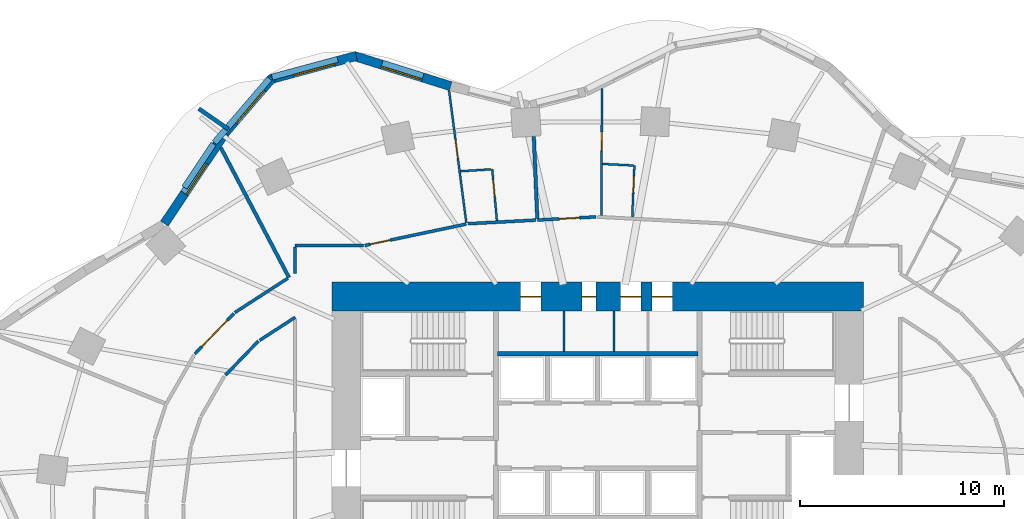
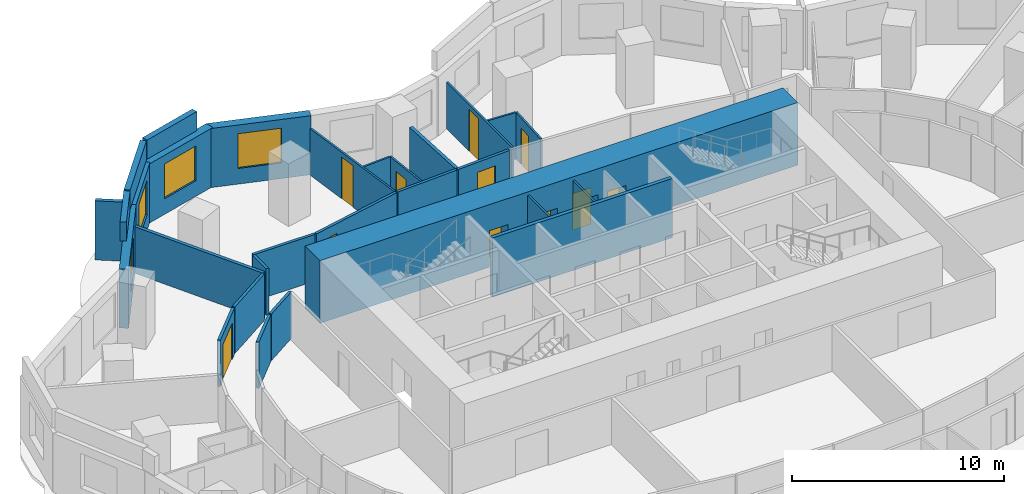
# One storey, part 8 of 11: 29 walls, 11 doors, 4 windows, 15 openings.
"""IFC4 building model written with IfcOpenShell, lengths in metres."""

from ifc_helpers import new_model, si_unit, direction, frame, frame_2d, origin, place, context, subcontext, project, spatial, rectangle, extrude, material, layer, layer_set, type_object, element, fill, save


model = new_model("IFC4")

# Units and contexts
model_context = context("Model", 3, precision=1e-05, world=origin(), true_north=direction((0.0, 1.0)))
body_context = subcontext(model_context, "Body", "Model", "MODEL_VIEW")
ifc_project = project(units=[si_unit("LENGTHUNIT", "METRE"), si_unit("AREAUNIT", "SQUARE_METRE"), si_unit("VOLUMEUNIT", "CUBIC_METRE"), si_unit("PLANEANGLEUNIT", "RADIAN"), si_unit("MASSUNIT", "GRAM", prefix="KILO")], contexts=[model_context])

# Site, building, storey
site_placement = place(None, origin())
site = spatial("IfcSite", under=ifc_project, at=site_placement, CompositionType="ELEMENT")
building_placement = place(site_placement, origin())
building = spatial("IfcBuilding", under=site, at=building_placement, Name="Rubra Terraces Tower", CompositionType="ELEMENT")
storey_placement = place(building_placement, frame((0.0, 0.0, 66.300048828125)))
storey = spatial("IfcBuildingStorey", under=building, at=storey_placement, Name="L14", CompositionType="ELEMENT", Elevation=66.300048828125)

# Walls
ifc_material_1 = material(Name="Twin plasterboard on staggered steel stud, acoustic mineral wool", Category="steel")
ifc_layer_1 = layer(ifc_material_1, 0.175048828125)
ifc_layer_set_1 = layer_set([ifc_layer_1], Name="Twin plasterboard on staggered steel stud, acoustic mineral wool")
wall_type_1 = type_object("IfcWallType", Name="ACOUSTIC PARTY WALL 175", PredefinedType="PARTITIONING", material=ifc_layer_set_1)
wall_1_placement = place(storey_placement, frame((-3.124755859375, 19.126953125, 0.0), z_axis=(0.0, 0.0, 1.0), x_axis=(0.042285996913, -0.99910554721, 0.0)))
element("IfcWall", 1, at=wall_1_placement, inside=storey, type_object=wall_type_1, Name="PARTITION", PredefinedType="PARTITIONING", context=body_context, shape_type="SweptSolid", body=[
    extrude(rectangle(XDim=4.0126953125, YDim=0.175048828125, at=frame_2d((2.00634765625, 0.0))), origin(), (0.0, 0.0, 1.0), 2.679931640625),
])
wall_2_placement = place(storey_placement, frame((-18.438720703125, 18.585693359375, 0.0), z_axis=(0.0, 0.0, 1.0), x_axis=(0.464815231758, -0.885407702884, 0.0)))
element("IfcWall", 2, at=wall_2_placement, inside=storey, type_object=wall_type_1, Name="PARTITION", PredefinedType="PARTITIONING", context=body_context, shape_type="SweptSolid", body=[
    extrude(rectangle(XDim=7.177001953125, YDim=0.175048828125, at=frame_2d((3.58837890625, 0.0))), origin(), (0.0, 0.0, 1.0), 2.679931640625),
])

# Wall, opening, window
ifc_material_2 = material(Name="Brick masonry red-brown", Category="masonry")
ifc_layer_2 = layer(ifc_material_2, 0.449951171875)
ifc_layer_set_2 = layer_set([ifc_layer_2], Name="Brick masonry red-brown")
wall_type_2 = type_object("IfcWallType", Name="Brick facade wall 450", PredefinedType="SOLIDWALL", material=ifc_layer_set_2)
wall_3_placement = place(storey_placement, frame((-7.195556640625, 21.592529296875, 0.0), z_axis=(0.0, 0.0, 1.0), x_axis=(-0.954471218741, 0.298303021432, 0.0)))
wall_3 = element("IfcWall", 3, at=wall_3_placement, inside=storey, type_object=wall_type_2, Name="Facade wall L14 bay 13", PredefinedType="SOLIDWALL", context=body_context, shape_type="SweptSolid", body=[
    extrude(rectangle(XDim=4.959716796875, YDim=0.449951171875, at=frame_2d((2.47998046875, 0.0))), origin(), (0.0, 0.0, 1.0), 3.39990234375),
])
opening_1_placement = place(wall_3_placement, frame((1.4296875, 0.0, 0.89990234375)))
opening_1 = element("IfcOpeningElement", 4, at=opening_1_placement, cuts=wall_3, Name="Opening W1", PredefinedType="OPENING", context=body_context, shape_type="SweptSolid", body=[
    extrude(rectangle(XDim=2.10009765625, YDim=2.0, at=frame_2d((1.050048828125, 1.0))), frame((0.0, 0.23486328125, 0.0), z_axis=(0.0, -1.0, 0.0), x_axis=(1.0, 0.0, 0.0)), (0.0, 0.0, 1.0), 0.469970703125),
])
ifc_material_3 = material(Name="Clear glass in aluminium frame", Category="aluminium")
window_type_1 = type_object("IfcWindowType", Name="Fixed deep-set window 2100 x 2000", PartitioningType="SINGLE_PANEL", PredefinedType="WINDOW", material=ifc_material_3)
window_1_placement = place(opening_1_placement, origin())
window_1 = element("IfcWindow", 5, at=window_1_placement, inside=storey, type_object=window_type_1, Name="Window L14 bay 13", OverallHeight=2.0, OverallWidth=2.10009765625, PartitioningType="SINGLE_PANEL", PredefinedType="WINDOW", context=body_context, shape_type="SweptSolid", body=[
    extrude(rectangle(XDim=2.10009765625, YDim=2.0, at=frame_2d((1.050048828125, 1.0))), frame((0.0, 0.135009765625, 0.0), z_axis=(0.0, -1.0, 0.0), x_axis=(1.0, 0.0, 0.0)), (0.0, 0.0, 1.0), 0.06005859375),
])
fill(opening_1, window_1)

wall_4_placement = place(storey_placement, frame((-11.807373046875, 23.07080078125, 0.0), z_axis=(0.0, 0.0, 1.0), x_axis=(-0.965334520334, -0.261015830653, 0.0)))
wall_4 = element("IfcWall", 6, at=wall_4_placement, inside=storey, type_object=wall_type_2, Name="Facade wall L14 bay 14", PredefinedType="SOLIDWALL", context=body_context, shape_type="SweptSolid", body=[
    extrude(rectangle(XDim=4.37548828125, YDim=0.449951171875, at=frame_2d((2.187744140625, 0.0))), origin(), (0.0, 0.0, 1.0), 3.39990234375),
])
opening_2_placement = place(wall_4_placement, frame((1.1376953125, 0.0, 0.89990234375)))
opening_2 = element("IfcOpeningElement", 7, at=opening_2_placement, cuts=wall_4, Name="Opening W1", PredefinedType="OPENING", context=body_context, shape_type="SweptSolid", body=[
    extrude(rectangle(XDim=2.10009765625, YDim=2.0, at=frame_2d((1.050048828125, 1.0))), frame((0.0, 0.23486328125, 0.0), z_axis=(0.0, -1.0, 0.0), x_axis=(1.0, 0.0, 0.0)), (0.0, 0.0, 1.0), 0.469970703125),
])
window_2_placement = place(opening_2_placement, origin())
window_2 = element("IfcWindow", 8, at=window_2_placement, inside=storey, type_object=window_type_1, Name="Window L14 bay 14", OverallHeight=2.0, OverallWidth=2.10009765625, PartitioningType="SINGLE_PANEL", PredefinedType="WINDOW", context=body_context, shape_type="SweptSolid", body=[
    extrude(rectangle(XDim=2.10009765625, YDim=2.0, at=frame_2d((1.050048828125, 1.0))), frame((0.0, 0.135009765625, 0.0), z_axis=(0.0, -1.0, 0.0), x_axis=(1.0, 0.0, 0.0)), (0.0, 0.0, 1.0), 0.06005859375),
])
fill(opening_2, window_2)

wall_5_placement = place(storey_placement, frame((-15.91943359375, 21.999267578125, 0.0), z_axis=(0.0, 0.0, 1.0), x_axis=(-0.652009971272, -0.758210391225, 0.0)))
wall_5 = element("IfcWall", 9, at=wall_5_placement, inside=storey, type_object=wall_type_2, Name="Facade wall L14 bay 15", PredefinedType="SOLIDWALL", context=body_context, shape_type="SweptSolid", body=[
    extrude(rectangle(XDim=3.544921875, YDim=0.449951171875, at=frame_2d((1.7724609375, 0.0))), origin(), (0.0, 0.0, 1.0), 3.39990234375),
])
opening_3_placement = place(wall_5_placement, frame((0.722412109375, 0.0, 0.89990234375)))
opening_3 = element("IfcOpeningElement", 10, at=opening_3_placement, cuts=wall_5, Name="Opening W1", PredefinedType="OPENING", context=body_context, shape_type="SweptSolid", body=[
    extrude(rectangle(XDim=2.10009765625, YDim=2.0, at=frame_2d((1.050048828125, 1.0))), frame((0.0, 0.23486328125, 0.0), z_axis=(0.0, -1.0, 0.0), x_axis=(1.0, 0.0, 0.0)), (0.0, 0.0, 1.0), 0.469970703125),
])
window_3_placement = place(opening_3_placement, origin())
window_3 = element("IfcWindow", 11, at=window_3_placement, inside=storey, type_object=window_type_1, Name="Window L14 bay 15", OverallHeight=2.0, OverallWidth=2.10009765625, PartitioningType="SINGLE_PANEL", PredefinedType="WINDOW", context=body_context, shape_type="SweptSolid", body=[
    extrude(rectangle(XDim=2.10009765625, YDim=2.0, at=frame_2d((1.050048828125, 1.0))), frame((0.0, 0.135009765625, 0.0), z_axis=(0.0, -1.0, 0.0), x_axis=(1.0, 0.0, 0.0)), (0.0, 0.0, 1.0), 0.06005859375),
])
fill(opening_3, window_3)

wall_6_placement = place(storey_placement, frame((-18.21435546875, 19.333251953125, 0.0), z_axis=(0.0, 0.0, 1.0), x_axis=(-0.555833135316, -0.831293886471, 0.0)))
wall_6 = element("IfcWall", 12, at=wall_6_placement, inside=storey, type_object=wall_type_2, Name="Facade wall L14 bay 16", PredefinedType="SOLIDWALL", context=body_context, shape_type="SweptSolid", body=[
    extrude(rectangle(XDim=5.368408203125, YDim=0.449951171875, at=frame_2d((2.68408203125, 0.0))), origin(), (0.0, 0.0, 1.0), 3.39990234375),
])
opening_4_placement = place(wall_6_placement, frame((1.7841796875, 0.0, 0.89990234375)))
opening_4 = element("IfcOpeningElement", 13, at=opening_4_placement, cuts=wall_6, Name="Opening W6", PredefinedType="OPENING", context=body_context, shape_type="SweptSolid", body=[
    extrude(rectangle(XDim=1.800048828125, YDim=2.0, at=frame_2d((0.89990234375, 1.0))), frame((0.0, 0.23486328125, 0.0), z_axis=(0.0, -1.0, 0.0), x_axis=(1.0, 0.0, 0.0)), (0.0, 0.0, 1.0), 0.469970703125),
])
window_type_2 = type_object("IfcWindowType", Name="Fixed deep-set window at wind fin 1800 x 2000", PartitioningType="SINGLE_PANEL", PredefinedType="WINDOW", material=ifc_material_3)
window_4_placement = place(opening_4_placement, origin())
window_4 = element("IfcWindow", 14, at=window_4_placement, inside=storey, type_object=window_type_2, Name="Window L14 bay 16", OverallHeight=2.0, OverallWidth=1.800048828125, PartitioningType="SINGLE_PANEL", PredefinedType="WINDOW", context=body_context, shape_type="SweptSolid", body=[
    extrude(rectangle(XDim=1.800048828125, YDim=2.0, at=frame_2d((0.89990234375, 1.0))), frame((0.0, 0.135009765625, 0.0), z_axis=(0.0, -1.0, 0.0), x_axis=(1.0, 0.0, 0.0)), (0.0, 0.0, 1.0), 0.06005859375),
])
fill(opening_4, window_4)

# Walls
ifc_layer_3 = layer(ifc_material_2, 0.300048828125)
ifc_layer_set_3 = layer_set([ifc_layer_3], Name="Brick masonry red-brown")
wall_type_3 = type_object("IfcWallType", Name="Brick parapet 300", PredefinedType="PARAPET", material=ifc_layer_set_3)
wall_7_placement = place(storey_placement, frame((-12.722412109375, 22.901123046875, 3.599853515625), z_axis=(0.0, 0.0, 1.0), x_axis=(-0.96534590031, -0.260973739589, 0.0)))
element("IfcWall", 15, at=wall_7_placement, inside=storey, type_object=wall_type_3, Name="Parapet L14 bay 14", PredefinedType="PARAPET", context=body_context, shape_type="SweptSolid", body=[
    extrude(rectangle(XDim=3.32568359375, YDim=0.300048828125, at=frame_2d((1.662841796875, 0.0))), origin(), (0.0, 0.0, 1.0), 1.10009765625),
])
wall_8_placement = place(storey_placement, frame((-16.055908203125, 21.95556640625, 3.599853515625), z_axis=(0.0, 0.0, 1.0), x_axis=(-0.652038588201, -0.75818578165, 0.0)))
element("IfcWall", 16, at=wall_8_placement, inside=storey, type_object=wall_type_3, Name="Parapet L14 bay 15", PredefinedType="PARAPET", context=body_context, shape_type="SweptSolid", body=[
    extrude(rectangle(XDim=4.1240234375, YDim=0.300048828125, at=frame_2d((2.06201171875, 0.0))), origin(), (0.0, 0.0, 1.0), 1.10009765625),
])
wall_9_placement = place(storey_placement, frame((-18.7919921875, 18.7666015625, 3.599853515625), z_axis=(0.0, 0.0, 1.0), x_axis=(-0.555843382853, -0.831287034507, 0.0)))
element("IfcWall", 17, at=wall_9_placement, inside=storey, type_object=wall_type_3, Name="Parapet L14 bay 16", PredefinedType="PARAPET", context=body_context, shape_type="SweptSolid", body=[
    extrude(rectangle(XDim=2.5615234375, YDim=0.300048828125, at=frame_2d((1.28076171875, 0.0))), origin(), (0.0, 0.0, 1.0), 1.10009765625),
])
ifc_layer_4 = layer(ifc_material_2, 0.199951171875)
ifc_layer_set_4 = layer_set([ifc_layer_4], Name="Brick masonry red-brown")
wall_type_4 = type_object("IfcWallType", Name="Brick wind fin 200", PredefinedType="SOLIDWALL", material=ifc_layer_set_4)
wall_10_placement = place(storey_placement, frame((-18.075927734375, 19.491943359375, 0.0), z_axis=(0.0, 0.0, 1.0), x_axis=(-0.822618823872, 0.568593238274, 0.0)))
element("IfcWall", 18, at=wall_10_placement, inside=storey, type_object=wall_type_4, Name="Wind fin L14 9", PredefinedType="SOLIDWALL", context=body_context, shape_type="SweptSolid", body=[
    extrude(rectangle(XDim=1.750244140625, YDim=0.199951171875, at=frame_2d((0.875, 0.0))), origin(), (0.0, 0.0, 1.0), 3.39990234375),
])

# Wall, openings, doors
ifc_material_4 = material(Name="Concrete C70", Category="concrete")
ifc_layer_5 = layer(ifc_material_4, 1.39990234375)
ifc_layer_set_5 = layer_set([ifc_layer_5], Name="Concrete C70")
wall_type_5 = type_object("IfcWallType", Name="CORE WALL 1400 C70", PredefinedType="SHEAR", material=ifc_layer_set_5)
wall_11_placement = place(storey_placement, frame((-13.0, 11.300048828125, 0.0), z_axis=(0.0, 0.0, 1.0), x_axis=(1.0, 0.0, 0.0)))
wall_11 = element("IfcWall", 19, at=wall_11_placement, inside=storey, type_object=wall_type_5, Name="CORE WALL N L14", PredefinedType="SHEAR", context=body_context, shape_type="SweptSolid", body=[
    extrude(rectangle(XDim=26.0, YDim=1.39990234375, at=frame_2d((13.0, 0.0))), origin(), (0.0, 0.0, 1.0), 3.599853515625),
])
opening_5_placement = place(wall_11_placement, frame((9.22509765625, 0.0, 0.0)))
opening_5 = element("IfcOpeningElement", 20, at=opening_5_placement, cuts=wall_11, Name="Opening L14.C23", PredefinedType="OPENING", context=body_context, shape_type="SweptSolid", body=[
    extrude(rectangle(XDim=1.0, YDim=2.10009765625, at=frame_2d((0.5, 1.050048828125))), frame((0.0, 0.7099609375, 0.0), z_axis=(0.0, -1.0, 0.0), x_axis=(1.0, 0.0, 0.0)), (0.0, 0.0, 1.0), 1.419921875),
])
opening_6_placement = place(wall_11_placement, frame((12.22509765625, 0.0, 0.0)))
opening_6 = element("IfcOpeningElement", 21, at=opening_6_placement, cuts=wall_11, Name="Opening L14.C24", PredefinedType="OPENING", context=body_context, shape_type="SweptSolid", body=[
    extrude(rectangle(XDim=0.699951171875, YDim=2.10009765625, at=frame_2d((0.35009765625, 1.050048828125))), frame((0.0, 0.7099609375, 0.0), z_axis=(0.0, -1.0, 0.0), x_axis=(1.0, 0.0, 0.0)), (0.0, 0.0, 1.0), 1.419921875),
])
opening_7_placement = place(wall_11_placement, frame((14.125, 0.0, 0.0)))
opening_7 = element("IfcOpeningElement", 22, at=opening_7_placement, cuts=wall_11, Name="Opening L14.C25", PredefinedType="OPENING", context=body_context, shape_type="SweptSolid", body=[
    extrude(rectangle(XDim=1.0, YDim=2.10009765625, at=frame_2d((0.5, 1.050048828125))), frame((0.0, 0.7099609375, 0.0), z_axis=(0.0, -1.0, 0.0), x_axis=(1.0, 0.0, 0.0)), (0.0, 0.0, 1.0), 1.419921875),
])
opening_8_placement = place(wall_11_placement, frame((15.64990234375, 0.0, 0.0)))
opening_8 = element("IfcOpeningElement", 23, at=opening_8_placement, cuts=wall_11, Name="Opening L14.C26", PredefinedType="OPENING", context=body_context, shape_type="SweptSolid", body=[
    extrude(rectangle(XDim=1.0, YDim=2.10009765625, at=frame_2d((0.5, 1.050048828125))), frame((0.0, 0.7099609375, 0.0), z_axis=(0.0, -1.0, 0.0), x_axis=(1.0, 0.0, 0.0)), (0.0, 0.0, 1.0), 1.419921875),
])
ifc_material_5 = material(Name="Painted steel", Category="steel")
door_type_1 = type_object("IfcDoorType", Name="Fire door 1000x2100 single", OperationType="NOTDEFINED", PredefinedType="DOOR", material=ifc_material_5)
door_1_placement = place(opening_5_placement, origin())
door_1 = element("IfcDoor", 24, at=door_1_placement, inside=storey, type_object=door_type_1, Name="Ice and vending room door", OperationType="SINGLE_SWING_LEFT", OverallHeight=2.10009765625, OverallWidth=1.0, PredefinedType="DOOR", context=body_context, shape_type="SweptSolid", body=[
    extrude(rectangle(XDim=1.0, YDim=2.10009765625, at=frame_2d((0.5, 1.050048828125))), frame((0.0, 0.02490234375, 0.0), z_axis=(0.0, -1.0, 0.0), x_axis=(1.0, 0.0, 0.0)), (0.0, 0.0, 1.0), 0.050048828125),
])
fill(opening_5, door_1)
door_2_placement = place(opening_7_placement, origin())
door_2 = element("IfcDoor", 25, at=door_2_placement, inside=storey, type_object=door_type_1, Name="Accessible WC door", OperationType="SINGLE_SWING_LEFT", OverallHeight=2.10009765625, OverallWidth=1.0, PredefinedType="DOOR", context=body_context, shape_type="SweptSolid", body=[
    extrude(rectangle(XDim=1.0, YDim=2.10009765625, at=frame_2d((0.5, 1.050048828125))), frame((0.0, 0.02490234375, 0.0), z_axis=(0.0, -1.0, 0.0), x_axis=(1.0, 0.0, 0.0)), (0.0, 0.0, 1.0), 0.050048828125),
])
fill(opening_7, door_2)
door_3_placement = place(opening_8_placement, origin())
door_3 = element("IfcDoor", 26, at=door_3_placement, inside=storey, type_object=door_type_1, Name="Refuse room door", OperationType="SINGLE_SWING_RIGHT", OverallHeight=2.10009765625, OverallWidth=1.0, PredefinedType="DOOR", context=body_context, shape_type="SweptSolid", body=[
    extrude(rectangle(XDim=1.0, YDim=2.10009765625, at=frame_2d((0.5, 1.050048828125))), frame((0.0, 0.02490234375, 0.0), z_axis=(0.0, -1.0, 0.0), x_axis=(1.0, 0.0, 0.0)), (0.0, 0.0, 1.0), 0.050048828125),
])
fill(opening_8, door_3)
door_type_2 = type_object("IfcDoorType", Name="Riser access door 700x2100 single", OperationType="NOTDEFINED", PredefinedType="DOOR", material=ifc_material_5)
door_4_placement = place(opening_6_placement, origin())
door_4 = element("IfcDoor", 27, at=door_4_placement, inside=storey, type_object=door_type_2, Name="Telecoms room door", OperationType="SINGLE_SWING_RIGHT", OverallHeight=2.10009765625, OverallWidth=0.699951171875, PredefinedType="DOOR", context=body_context, shape_type="SweptSolid", body=[
    extrude(rectangle(XDim=0.699951171875, YDim=2.10009765625, at=frame_2d((0.35009765625, 1.050048828125))), frame((0.0, 0.02490234375, 0.0), z_axis=(0.0, -1.0, 0.0), x_axis=(1.0, 0.0, 0.0)), (0.0, 0.0, 1.0), 0.050048828125),
])
fill(opening_6, door_4)

# Wall, opening, door
ifc_material_6 = material(Name="Plasterboard on steel stud, mineral wool infill", Category="steel")
ifc_layer_6 = layer(ifc_material_6, 0.14990234375)
ifc_layer_set_6 = layer_set([ifc_layer_6], Name="Plasterboard on steel stud, mineral wool infill")
wall_type_6 = type_object("IfcWallType", Name="CORRIDOR PARTITION 150", PredefinedType="PARTITIONING", material=ifc_layer_set_6)
wall_12_placement = place(storey_placement, frame((-0.074951171875, 15.19580078125, 0.0), z_axis=(0.0, 0.0, 1.0), x_axis=(-0.998591959352, -0.053048079307, 0.0)))
wall_12 = element("IfcWall", 28, at=wall_12_placement, inside=storey, type_object=wall_type_6, Name="PARTITION", PredefinedType="PARTITIONING", context=body_context, shape_type="SweptSolid", body=[
    extrude(rectangle(XDim=2.881103515625, YDim=0.14990234375, at=frame_2d((1.4404296875, 0.0))), origin(), (0.0, 0.0, 1.0), 2.679931640625),
])
opening_9_placement = place(wall_12_placement, frame((0.80810546875, 0.0, 0.0)))
opening_9 = element("IfcOpeningElement", 29, at=opening_9_placement, cuts=wall_12, Name="Opening 14-106", PredefinedType="OPENING", context=body_context, shape_type="SweptSolid", body=[
    extrude(rectangle(XDim=1.0, YDim=2.10009765625, at=frame_2d((0.5, 1.050048828125))), frame((0.0, 0.0849609375, 0.0), z_axis=(0.0, -1.0, 0.0), x_axis=(1.0, 0.0, 0.0)), (0.0, 0.0, 1.0), 0.169921875),
])
ifc_material_7 = material(Name="Painted timber door leaf", Category="wood")
door_type_3 = type_object("IfcDoorType", Name="ROOM DOOR 1000 X 2100", OperationType="SINGLE_SWING_LEFT", PredefinedType="DOOR", material=ifc_material_7)
door_5_placement = place(opening_9_placement, origin())
door_5 = element("IfcDoor", 30, at=door_5_placement, inside=storey, type_object=door_type_3, Name="DOOR 14-106", OperationType="SINGLE_SWING_RIGHT", OverallHeight=2.10009765625, OverallWidth=1.0, PredefinedType="DOOR", context=body_context, shape_type="SweptSolid", body=[
    extrude(rectangle(XDim=1.0, YDim=2.10009765625, at=frame_2d((0.5, 1.050048828125))), frame((0.0, 0.02490234375, 0.0), z_axis=(0.0, -1.0, 0.0), x_axis=(1.0, 0.0, 0.0)), (0.0, 0.0, 1.0), 0.050048828125),
])
fill(opening_9, door_5)

# Wall
wall_13_placement = place(storey_placement, frame((-3.02685546875, 15.038818359375, 0.0), z_axis=(0.0, 0.0, 1.0), x_axis=(-0.998589773409, -0.053089212123, 0.0)))
element("IfcWall", 31, at=wall_13_placement, inside=storey, type_object=wall_type_6, Name="PARTITION", PredefinedType="PARTITIONING", context=body_context, shape_type="SweptSolid", body=[
    extrude(rectangle(XDim=3.333984375, YDim=0.14990234375, at=frame_2d((1.6669921875, 0.0))), origin(), (0.0, 0.0, 1.0), 2.679931640625),
])

# Wall, opening, door
wall_14_placement = place(storey_placement, frame((-6.4296875, 14.84619140625, 0.0), z_axis=(0.0, 0.0, 1.0), x_axis=(-0.978470502428, -0.206386714394, 0.0)))
wall_14 = element("IfcWall", 32, at=wall_14_placement, inside=storey, type_object=wall_type_6, Name="PARTITION", PredefinedType="PARTITIONING", context=body_context, shape_type="SweptSolid", body=[
    extrude(rectangle(XDim=5.06884765625, YDim=0.14990234375, at=frame_2d((2.534423828125, 0.0))), origin(), (0.0, 0.0, 1.0), 2.679931640625),
])
opening_10_placement = place(wall_14_placement, frame((3.800048828125, 0.0, 0.0)))
opening_10 = element("IfcOpeningElement", 33, at=opening_10_placement, cuts=wall_14, Name="Opening 14-109", PredefinedType="OPENING", context=body_context, shape_type="SweptSolid", body=[
    extrude(rectangle(XDim=1.0, YDim=2.10009765625, at=frame_2d((0.5, 1.050048828125))), frame((0.0, 0.0849609375, 0.0), z_axis=(0.0, -1.0, 0.0), x_axis=(1.0, 0.0, 0.0)), (0.0, 0.0, 1.0), 0.169921875),
])
door_6_placement = place(opening_10_placement, origin())
door_6 = element("IfcDoor", 34, at=door_6_placement, inside=storey, type_object=door_type_3, Name="DOOR 14-109", OperationType="SINGLE_SWING_RIGHT", OverallHeight=2.10009765625, OverallWidth=1.0, PredefinedType="DOOR", context=body_context, shape_type="SweptSolid", body=[
    extrude(rectangle(XDim=1.0, YDim=2.10009765625, at=frame_2d((0.5, 1.050048828125))), frame((0.0, 0.02490234375, 0.0), z_axis=(0.0, -1.0, 0.0), x_axis=(1.0, 0.0, 0.0)), (0.0, 0.0, 1.0), 0.050048828125),
])
fill(opening_10, door_6)

# Walls
wall_15_placement = place(storey_placement, frame((-11.46435546875, 13.800048828125, 0.0), z_axis=(0.0, 0.0, 1.0), x_axis=(-1.0, 0.0, 0.0)))
element("IfcWall", 35, at=wall_15_placement, inside=storey, type_object=wall_type_6, Name="PARTITION", PredefinedType="PARTITIONING", context=body_context, shape_type="SweptSolid", body=[
    extrude(rectangle(XDim=3.335693359375, YDim=0.14990234375, at=frame_2d((1.66796875, 0.0))), origin(), (0.0, 0.0, 1.0), 2.679931640625),
])
wall_16_placement = place(storey_placement, frame((-14.800048828125, 13.72509765625, 0.0), z_axis=(0.0, 0.0, 1.0), x_axis=(-0.000188040613, -0.99999998232, 0.0)))
element("IfcWall", 36, at=wall_16_placement, inside=storey, type_object=wall_type_6, Name="PARTITION", PredefinedType="PARTITIONING", context=body_context, shape_type="SweptSolid", body=[
    extrude(rectangle(XDim=1.29833984375, YDim=0.14990234375, at=frame_2d((0.649169921875, 0.0))), origin(), (0.0, 0.0, 1.0), 2.679931640625),
])
wall_17_placement = place(storey_placement, frame((-15.165771484375, 12.1904296875, 0.0), z_axis=(0.0, 0.0, 1.0), x_axis=(-0.839538287855, -0.54330052754, 0.0)))
element("IfcWall", 37, at=wall_17_placement, inside=storey, type_object=wall_type_6, Name="PARTITION", PredefinedType="PARTITIONING", context=body_context, shape_type="SweptSolid", body=[
    extrude(rectangle(XDim=3.0830078125, YDim=0.14990234375, at=frame_2d((1.54150390625, 0.0))), origin(), (0.0, 0.0, 1.0), 2.679931640625),
])

# Wall, opening, door
wall_18_placement = place(storey_placement, frame((-17.80615234375, 10.461669921875, 0.0), z_axis=(0.0, 0.0, 1.0), x_axis=(-0.695227375123, -0.71878988368, 0.0)))
wall_18 = element("IfcWall", 38, at=wall_18_placement, inside=storey, type_object=wall_type_6, Name="PARTITION", PredefinedType="PARTITIONING", context=body_context, shape_type="SweptSolid", body=[
    extrude(rectangle(XDim=2.745849609375, YDim=0.14990234375, at=frame_2d((1.373046875, 0.0))), origin(), (0.0, 0.0, 1.0), 2.679931640625),
])
opening_11_placement = place(wall_18_placement, frame((0.449951171875, 0.0, 0.0)))
opening_11 = element("IfcOpeningElement", 39, at=opening_11_placement, cuts=wall_18, Name="Opening 14-110", PredefinedType="OPENING", context=body_context, shape_type="SweptSolid", body=[
    extrude(rectangle(XDim=1.800048828125, YDim=2.10009765625, at=frame_2d((0.89990234375, 1.050048828125))), frame((0.0, 0.0849609375, 0.0), z_axis=(0.0, -1.0, 0.0), x_axis=(1.0, 0.0, 0.0)), (0.0, 0.0, 1.0), 0.169921875),
])
ifc_material_8 = material(Name="Painted timber door leaf, double", Category="wood")
door_type_4 = type_object("IfcDoorType", Name="ROOM DOUBLE DOOR 1800 X 2100", OperationType="DOUBLE_DOOR_SINGLE_SWING", PredefinedType="DOOR", material=ifc_material_8)
door_7_placement = place(opening_11_placement, origin())
door_7 = element("IfcDoor", 40, at=door_7_placement, inside=storey, type_object=door_type_4, Name="DOOR 14-110", OperationType="DOUBLE_DOOR_SINGLE_SWING", OverallHeight=2.10009765625, OverallWidth=1.800048828125, PredefinedType="DOOR", context=body_context, shape_type="SweptSolid", body=[
    extrude(rectangle(XDim=1.800048828125, YDim=2.10009765625, at=frame_2d((0.89990234375, 1.050048828125))), frame((0.0, 0.02490234375, 0.0), z_axis=(0.0, -1.0, 0.0), x_axis=(1.0, 0.0, 0.0)), (0.0, 0.0, 1.0), 0.050048828125),
])
fill(opening_11, door_7)

# Walls
wall_19_placement = place(storey_placement, frame((-18.216796875, 7.447998046875, 0.0), z_axis=(0.0, 0.0, 1.0), x_axis=(0.695172542355, 0.718842914938, 0.0)))
element("IfcWall", 41, at=wall_19_placement, inside=storey, type_object=wall_type_6, Name="PARTITION", PredefinedType="PARTITIONING", context=body_context, shape_type="SweptSolid", body=[
    extrude(rectangle(XDim=2.32080078125, YDim=0.14990234375, at=frame_2d((1.160400390625, 0.0))), origin(), (0.0, 0.0, 1.0), 2.679931640625),
])
wall_20_placement = place(storey_placement, frame((-16.540283203125, 9.156982421875, 0.0), z_axis=(0.0, 0.0, 1.0), x_axis=(0.839529075717, 0.543314762385, 0.0)))
element("IfcWall", 42, at=wall_20_placement, inside=storey, type_object=wall_type_6, Name="PARTITION", PredefinedType="PARTITIONING", context=body_context, shape_type="SweptSolid", body=[
    extrude(rectangle(XDim=2.07275390625, YDim=0.14990234375, at=frame_2d((1.036376953125, 0.0))), origin(), (0.0, 0.0, 1.0), 2.679931640625),
])
ifc_material_9 = material(Name="Concrete C30", Category="concrete")
ifc_layer_7 = layer(ifc_material_9, 0.199951171875)
ifc_layer_set_7 = layer_set([ifc_layer_7], Name="Concrete C30")
wall_type_7 = type_object("IfcWallType", Name="Core wall 200 concrete", PredefinedType="SOLIDWALL", material=ifc_layer_set_7)
wall_21_placement = place(storey_placement, frame((-4.89990234375, 8.5, 0.0), z_axis=(0.0, 0.0, 1.0), x_axis=(1.0, 0.0, 0.0)))
element("IfcWall", 43, at=wall_21_placement, inside=storey, type_object=wall_type_7, Name="LIFT SHAFT WALL L14", PredefinedType="SOLIDWALL", context=body_context, shape_type="SweptSolid", body=[
    extrude(rectangle(XDim=9.7998046875, YDim=0.199951171875, at=frame_2d((4.89990234375, 0.0))), origin(), (0.0, 0.0, 1.0), 3.39990234375),
])

# Wall, opening, door
ifc_material_10 = material(Name="Plasterboard on steel stud", Category="steel")
ifc_layer_8 = layer(ifc_material_10, 0.10009765625)
ifc_layer_set_8 = layer_set([ifc_layer_8], Name="Plasterboard on steel stud")
wall_type_8 = type_object("IfcWallType", Name="ROOM PARTITION 100", PredefinedType="PARTITIONING", material=ifc_layer_set_8)
wall_22_placement = place(storey_placement, frame((0.202880859375, 21.472900390625, 0.0), z_axis=(0.0, 0.0, 1.0), x_axis=(-0.002044985499, -0.999997909015, 0.0)))
wall_22 = element("IfcWall", 44, at=wall_22_placement, inside=storey, type_object=wall_type_8, Name="PARTITION", PredefinedType="PARTITIONING", context=body_context, shape_type="SweptSolid", body=[
    extrude(rectangle(XDim=6.2080078125, YDim=0.10009765625, at=frame_2d((3.10400390625, 0.0))), origin(), (0.0, 0.0, 1.0), 2.679931640625),
])
opening_12_placement = place(wall_22_placement, frame((2.133056640625, 0.0, 0.0)))
opening_12 = element("IfcOpeningElement", 45, at=opening_12_placement, cuts=wall_22, Name="Opening 14-105", PredefinedType="OPENING", context=body_context, shape_type="SweptSolid", body=[
    extrude(rectangle(XDim=0.89990234375, YDim=2.39990234375, at=frame_2d((0.449951171875, 1.199951171875))), frame((0.0, 0.06005859375, 0.0), z_axis=(0.0, -1.0, 0.0), x_axis=(1.0, 0.0, 0.0)), (0.0, 0.0, 1.0), 0.1201171875),
])
ifc_material_11 = material(Name="Veneered timber door leaf, fire-rated", Category="wood")
door_type_5 = type_object("IfcDoorType", Name="SUITE ENTRANCE DOOR 900 X 2400", OperationType="SINGLE_SWING_LEFT", PredefinedType="DOOR", material=ifc_material_11)
door_8_placement = place(opening_12_placement, origin())
door_8 = element("IfcDoor", 46, at=door_8_placement, inside=storey, type_object=door_type_5, Name="DOOR 14-105", OperationType="SINGLE_SWING_LEFT", OverallHeight=2.39990234375, OverallWidth=0.89990234375, PredefinedType="DOOR", context=body_context, shape_type="SweptSolid", body=[
    extrude(rectangle(XDim=0.89990234375, YDim=2.39990234375, at=frame_2d((0.449951171875, 1.199951171875))), frame((0.0, 0.02490234375, 0.0), z_axis=(0.0, -1.0, 0.0), x_axis=(1.0, 0.0, 0.0)), (0.0, 0.0, 1.0), 0.050048828125),
])
fill(opening_12, door_8)

wall_23_placement = place(storey_placement, frame((1.69091796875, 15.18505859375, 0.0), z_axis=(0.0, 0.0, 1.0), x_axis=(0.041767275245, 0.999127366615, 0.0)))
wall_23 = element("IfcWall", 47, at=wall_23_placement, inside=storey, type_object=wall_type_8, Name="PARTITION", PredefinedType="PARTITIONING", context=body_context, shape_type="SweptSolid", body=[
    extrude(rectangle(XDim=2.525146484375, YDim=0.10009765625, at=frame_2d((1.2626953125, 0.0))), origin(), (0.0, 0.0, 1.0), 2.679931640625),
])
opening_13_placement = place(wall_23_placement, frame((1.199951171875, 0.0, 0.0)))
opening_13 = element("IfcOpeningElement", 48, at=opening_13_placement, cuts=wall_23, Name="Opening 14-104", PredefinedType="OPENING", context=body_context, shape_type="SweptSolid", body=[
    extrude(rectangle(XDim=0.800048828125, YDim=2.10009765625, at=frame_2d((0.39990234375, 1.050048828125))), frame((0.0, 0.06005859375, 0.0), z_axis=(0.0, -1.0, 0.0), x_axis=(1.0, 0.0, 0.0)), (0.0, 0.0, 1.0), 0.1201171875),
])
door_type_6 = type_object("IfcDoorType", Name="BATHROOM DOOR 800 X 2100", OperationType="SINGLE_SWING_LEFT", PredefinedType="DOOR", material=ifc_material_7)
door_9_placement = place(opening_13_placement, origin())
door_9 = element("IfcDoor", 49, at=door_9_placement, inside=storey, type_object=door_type_6, Name="DOOR 14-104", OperationType="SINGLE_SWING_LEFT", OverallHeight=2.10009765625, OverallWidth=0.800048828125, PredefinedType="DOOR", context=body_context, shape_type="SweptSolid", body=[
    extrude(rectangle(XDim=0.800048828125, YDim=2.10009765625, at=frame_2d((0.39990234375, 1.050048828125))), frame((0.0, 0.02490234375, 0.0), z_axis=(0.0, -1.0, 0.0), x_axis=(1.0, 0.0, 0.0)), (0.0, 0.0, 1.0), 0.050048828125),
])
fill(opening_13, door_9)

# Wall
wall_24_placement = place(storey_placement, frame((1.74658203125, 17.71044921875, 0.0), z_axis=(0.0, 0.0, 1.0), x_axis=(-0.998699138712, 0.050990492611, 0.0)))
element("IfcWall", 50, at=wall_24_placement, inside=storey, type_object=wall_type_8, Name="PARTITION", PredefinedType="PARTITIONING", context=body_context, shape_type="SweptSolid", body=[
    extrude(rectangle(XDim=1.50341796875, YDim=0.10009765625, at=frame_2d((0.751708984375, 0.0))), origin(), (0.0, 0.0, 1.0), 2.679931640625),
])

# Wall, opening, door
wall_25_placement = place(storey_placement, frame((-7.27294921875, 21.381103515625, 0.0), z_axis=(0.0, 0.0, 1.0), x_axis=(0.129472190921, -0.991583053394, 0.0)))
wall_25 = element("IfcWall", 51, at=wall_25_placement, inside=storey, type_object=wall_type_8, Name="PARTITION", PredefinedType="PARTITIONING", context=body_context, shape_type="SweptSolid", body=[
    extrude(rectangle(XDim=6.51318359375, YDim=0.10009765625, at=frame_2d((3.256591796875, 0.0))), origin(), (0.0, 0.0, 1.0), 2.679931640625),
])
opening_14_placement = place(wall_25_placement, frame((2.43798828125, 0.0, 0.0)))
opening_14 = element("IfcOpeningElement", 52, at=opening_14_placement, cuts=wall_25, Name="Opening 14-108", PredefinedType="OPENING", context=body_context, shape_type="SweptSolid", body=[
    extrude(rectangle(XDim=0.89990234375, YDim=2.39990234375, at=frame_2d((0.449951171875, 1.199951171875))), frame((0.0, 0.06005859375, 0.0), z_axis=(0.0, -1.0, 0.0), x_axis=(1.0, 0.0, 0.0)), (0.0, 0.0, 1.0), 0.1201171875),
])
door_10_placement = place(opening_14_placement, origin())
door_10 = element("IfcDoor", 53, at=door_10_placement, inside=storey, type_object=door_type_5, Name="DOOR 14-108", OperationType="SINGLE_SWING_LEFT", OverallHeight=2.39990234375, OverallWidth=0.89990234375, PredefinedType="DOOR", context=body_context, shape_type="SweptSolid", body=[
    extrude(rectangle(XDim=0.89990234375, YDim=2.39990234375, at=frame_2d((0.449951171875, 1.199951171875))), frame((0.0, 0.02490234375, 0.0), z_axis=(0.0, -1.0, 0.0), x_axis=(1.0, 0.0, 0.0)), (0.0, 0.0, 1.0), 0.050048828125),
])
fill(opening_14, door_10)

wall_26_placement = place(storey_placement, frame((-4.93017578125, 15.0126953125, 0.0), z_axis=(0.0, 0.0, 1.0), x_axis=(-0.09194789711, 0.995763819496, 0.0)))
wall_26 = element("IfcWall", 54, at=wall_26_placement, inside=storey, type_object=wall_type_8, Name="PARTITION", PredefinedType="PARTITIONING", context=body_context, shape_type="SweptSolid", body=[
    extrude(rectangle(XDim=2.525146484375, YDim=0.10009765625, at=frame_2d((1.2626953125, 0.0))), origin(), (0.0, 0.0, 1.0), 2.679931640625),
])
opening_15_placement = place(wall_26_placement, frame((1.199951171875, 0.0, 0.0)))
opening_15 = element("IfcOpeningElement", 55, at=opening_15_placement, cuts=wall_26, Name="Opening 14-107", PredefinedType="OPENING", context=body_context, shape_type="SweptSolid", body=[
    extrude(rectangle(XDim=0.800048828125, YDim=2.10009765625, at=frame_2d((0.39990234375, 1.050048828125))), frame((0.0, 0.06005859375, 0.0), z_axis=(0.0, -1.0, 0.0), x_axis=(1.0, 0.0, 0.0)), (0.0, 0.0, 1.0), 0.1201171875),
])
door_11_placement = place(opening_15_placement, origin())
door_11 = element("IfcDoor", 56, at=door_11_placement, inside=storey, type_object=door_type_6, Name="DOOR 14-107", OperationType="SINGLE_SWING_LEFT", OverallHeight=2.10009765625, OverallWidth=0.800048828125, PredefinedType="DOOR", context=body_context, shape_type="SweptSolid", body=[
    extrude(rectangle(XDim=0.800048828125, YDim=2.10009765625, at=frame_2d((0.39990234375, 1.050048828125))), frame((0.0, 0.02490234375, 0.0), z_axis=(0.0, -1.0, 0.0), x_axis=(1.0, 0.0, 0.0)), (0.0, 0.0, 1.0), 0.050048828125),
])
fill(opening_15, door_11)

# Walls
wall_27_placement = place(storey_placement, frame((-5.212158203125, 17.52392578125, 0.0), z_axis=(0.0, 0.0, 1.0), x_axis=(-0.998018174443, -0.062926333769, 0.0)))
element("IfcWall", 57, at=wall_27_placement, inside=storey, type_object=wall_type_8, Name="PARTITION", PredefinedType="PARTITIONING", context=body_context, shape_type="SweptSolid", body=[
    extrude(rectangle(XDim=1.49755859375, YDim=0.10009765625, at=frame_2d((0.748779296875, 0.0))), origin(), (0.0, 0.0, 1.0), 2.679931640625),
])
ifc_material_12 = material(Name="Blockwork", Category="masonry")
ifc_layer_9 = layer(ifc_material_12, 0.10009765625)
ifc_layer_set_9 = layer_set([ifc_layer_9], Name="Blockwork")
wall_type_9 = type_object("IfcWallType", Name="Service partition 100 blockwork", PredefinedType="PARTITIONING", material=ifc_layer_set_9)
for number, where, z_axis, x_axis, name in (
    (58, (-1.64990234375, 8.60009765625, 0.0), (0.0, 0.0, 1.0), (0.0, 1.0, 0.0), "SERVICE ROOM PARTITION L14"),
    (59, (0.800048828125, 8.60009765625, 0.0), (0.0, 0.0, 1.0), (0.0, 1.0, 0.0), "SERVICE ROOM PARTITION L14"),
):
    element("IfcWall", number, at=place(storey_placement, frame(where, z_axis=z_axis, x_axis=x_axis)), inside=storey, type_object=wall_type_9, Name=name, PredefinedType="PARTITIONING", context=body_context, shape_type="SweptSolid", body=[
        extrude(rectangle(XDim=2.0, YDim=0.10009765625, at=frame_2d((1.0, 0.0))), origin(), (0.0, 0.0, 1.0), 3.39990234375),
    ])

save(model, "model.ifc")
